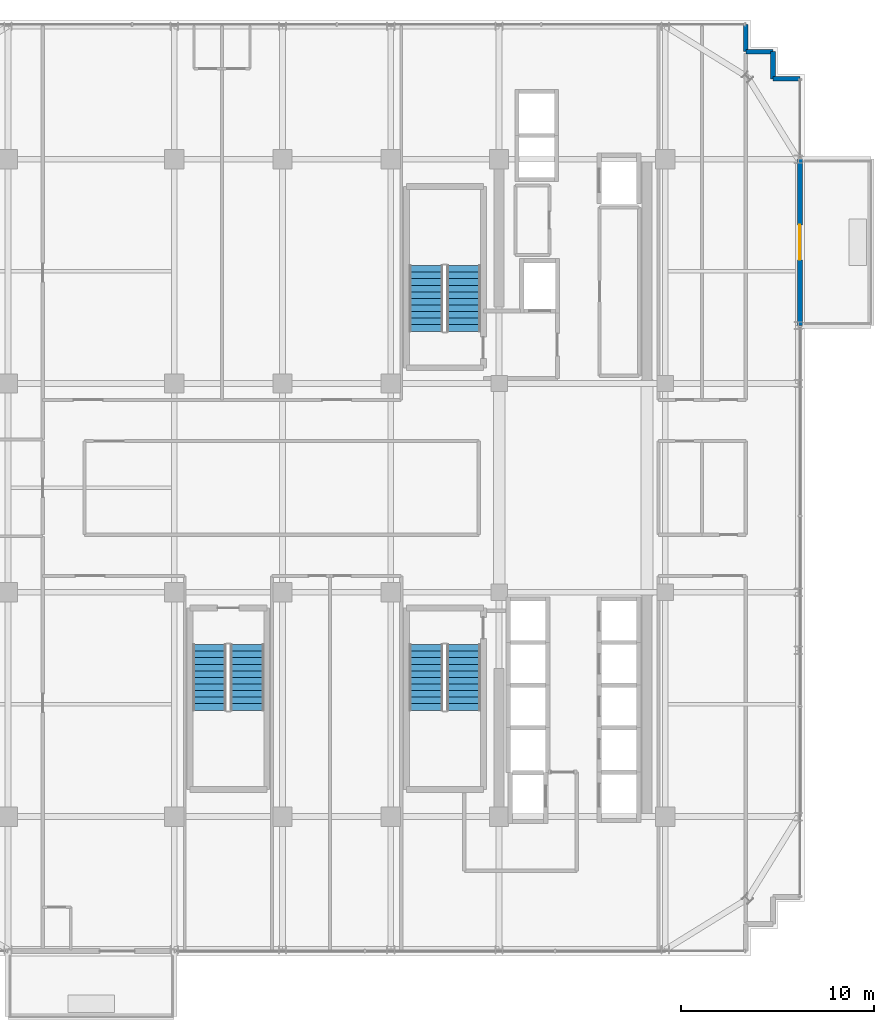
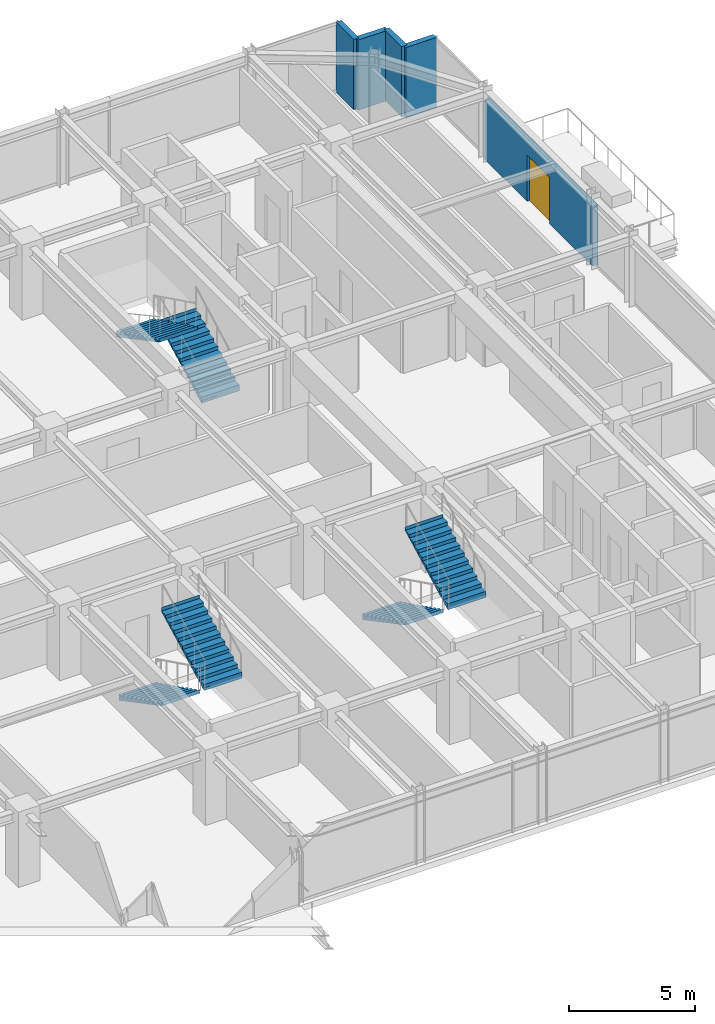
# One storey, part 31 of 34: 6 stair flights, 5 walls, 1 door, 1 opening, 3 elements without a shape of their own.
"""IFC4 building model written with IfcOpenShell, lengths in metres."""

from ifc_helpers import new_model, si_unit, direction, frame, frame_2d, origin, place, context, subcontext, project, spatial, polyline, rectangle, outline, extrude, source, transform, mapped, material, layer, layer_set, type_object, element, fill, aggregate, save


model = new_model("IFC4")

# Units and contexts
model_context = context("Model", 3, precision=1e-05, world=origin(), true_north=direction((0.0, 1.0)))
body_context = subcontext(model_context, "Body", "Model", "MODEL_VIEW")
ifc_project = project(units=[si_unit("LENGTHUNIT", "METRE"), si_unit("AREAUNIT", "SQUARE_METRE"), si_unit("VOLUMEUNIT", "CUBIC_METRE"), si_unit("PLANEANGLEUNIT", "RADIAN"), si_unit("MASSUNIT", "GRAM", prefix="KILO")], contexts=[model_context])

# Site, building, storey
site_placement = place(None, origin())
site = spatial("IfcSite", under=ifc_project, at=site_placement, CompositionType="ELEMENT")
building_placement = place(site_placement, origin())
building = spatial("IfcBuilding", under=site, at=building_placement, Name="Nahalor Promenade Grand Hotel", CompositionType="ELEMENT")
storey_placement = place(building_placement, frame((0.0, 0.0, 238.199951171875)))
storey = spatial("IfcBuildingStorey", under=building, at=storey_placement, Name="L61", CompositionType="ELEMENT", Elevation=238.199951171875)

# Walls
ifc_material_1 = material(Name="Concrete B-40 (C32/40)", Category="concrete")
ifc_layer_1 = layer(ifc_material_1, 0.25)
ifc_layer_set_1 = layer_set([ifc_layer_1], Name="Concrete B-40 (C32/40)")
wall_type_1 = type_object("IfcWallType", Name="Wall-BronzePier-250", PredefinedType="STANDARD", material=ifc_layer_set_1)
shared_shape_1 = source(origin(), body_context, "Body", "SweptSolid", [
    extrude(rectangle(XDim=1.39990234375, YDim=0.25, at=frame_2d((0.699951171875, 0.0))), origin(), (0.0, 0.0, 1.0), 3.41015625),
])
for number, where, z_axis, x_axis, name in (
    (1, (22.56005859375, 21.159912109375, 0.0), (0.0, 0.0, 1.0), (1.0, 0.0, 0.0), "W-L61-SR-05"),
    (2, (21.159912109375, 22.56005859375, 0.0), (0.0, 0.0, 1.0), (0.0, 1.0, 0.0), "W-L61-SR-08"),
):
    element("IfcWall", number, at=place(storey_placement, frame(where, z_axis=z_axis, x_axis=x_axis)), inside=storey, type_object=wall_type_1, Name=name, PredefinedType="STANDARD", context=body_context, shape_type="MappedRepresentation", body=[
        mapped(shared_shape_1, transform((0.0, 0.0, 0.0), scale=1.0)),
    ])
shared_shape_2 = source(origin(), body_context, "Body", "SweptSolid", [
    extrude(rectangle(XDim=1.400146484375, YDim=0.25, at=frame_2d((0.7001953125, 0.0))), origin(), (0.0, 0.0, 1.0), 3.41015625),
])
for number, where, z_axis, x_axis, name in (
    (3, (22.56005859375, 21.159912109375, 0.0), (0.0, 0.0, 1.0), (0.0, 1.0, 0.0), "W-L61-SR-06"),
    (4, (21.159912109375, 22.56005859375, 0.0), (0.0, 0.0, 1.0), (1.0, 0.0, 0.0), "W-L61-SR-07"),
):
    element("IfcWall", number, at=place(storey_placement, frame(where, z_axis=z_axis, x_axis=x_axis)), inside=storey, type_object=wall_type_1, Name=name, PredefinedType="STANDARD", context=body_context, shape_type="MappedRepresentation", body=[
        mapped(shared_shape_2, transform((0.0, 0.0, 0.0), scale=1.0)),
    ])

# Wall, opening, door
ifc_layer_2 = layer(ifc_material_1, 0.260009765625)
ifc_layer_set_2 = layer_set([ifc_layer_2], Name="Concrete B-40 (C32/40)")
wall_type_2 = type_object("IfcWallType", Name="Wall-BalconyWall-260", PredefinedType="STANDARD", material=ifc_layer_set_2)
shared_shape_3 = source(origin(), body_context, "Body", "SweptSolid", [
    extrude(rectangle(XDim=8.60009765625, YDim=0.260009765625, at=frame_2d((4.300048828125, 0.0))), origin(), (0.0, 0.0, 1.0), 2.89013671875),
])
wall_placement = place(storey_placement, frame((23.9599609375, 8.39990234375, 0.0), z_axis=(0.0, 0.0, 1.0), x_axis=(0.0, 1.0, 0.0)))
wall = element("IfcWall", 5, at=wall_placement, inside=storey, type_object=wall_type_2, Name="W-L61-BALC-E-2", PredefinedType="STANDARD", context=body_context, shape_type="MappedRepresentation", body=[
    mapped(shared_shape_3, transform((0.0, 0.0, 0.0), scale=1.0)),
])
opening_placement = place(wall_placement, frame((3.39990234375, 0.0, 0.0)))
opening = element("IfcOpeningElement", 6, at=opening_placement, cuts=wall, Name="Opening D-BC1", PredefinedType="OPENING", context=body_context, shape_type="SweptSolid", body=[
    extrude(rectangle(XDim=1.800048828125, YDim=2.25, at=frame_2d((0.89990234375, 1.125))), frame((0.0, 0.139892578125, 0.0), z_axis=(0.0, -1.0, 0.0), x_axis=(1.0, 0.0, 0.0)), (0.0, 0.0, 1.0), 0.280029296875),
])
ifc_material_2 = material(Name="Anodised Bronze Aluminium EN AW-6063 T6", Category="aluminium")
door_type = type_object("IfcDoorType", Name="Door-BalconySlide-1800", OperationType="DOUBLE_DOOR_SLIDING", PredefinedType="DOOR", material=ifc_material_2)
shared_shape_4 = source(origin(), body_context, "Body", "SweptSolid", [
    extrude(rectangle(XDim=1.800048828125, YDim=2.25, at=frame_2d((0.89990234375, 1.125))), frame((0.0, 0.02490234375, 0.0), z_axis=(0.0, -1.0, 0.0), x_axis=(1.0, 0.0, 0.0)), (0.0, 0.0, 1.0), 0.050048828125),
])
door_placement = place(opening_placement, frame((1.800048828125, 0.0, 0.0), z_axis=(0.0, 0.0, 1.0), x_axis=(-1.0, 0.0, 0.0)))
door = element("IfcDoor", 7, at=door_placement, inside=storey, type_object=door_type, Name="DR-L61-BALC-E-2", OperationType="DOUBLE_DOOR_SLIDING", OverallHeight=2.25, OverallWidth=1.800048828125, PredefinedType="DOOR", context=body_context, shape_type="MappedRepresentation", body=[
    mapped(shared_shape_4, transform((0.0, 0.0, 0.0), scale=1.0)),
])
fill(opening, door)

# Stair, stair flights
ifc_material_3 = material(Name="Concrete B-50 (C40/50)", Category="concrete")
stair_type_1 = type_object("IfcStairType", Name="Stair-ST1", PredefinedType="HALF_TURN_STAIR", material=ifc_material_3)
stair_1_placement = place(storey_placement, origin())
stair_1 = element("IfcStair", 8, at=stair_1_placement, inside=storey, type_object=stair_type_1, Name="L61 ST1", PredefinedType="HALF_TURN_STAIR")
ifc_layer_3 = layer(ifc_material_3, 0.179931640625)
ifc_layer_set_3 = layer_set([ifc_layer_3], Name="Concrete B-50 (C40/50)")
stair_flight_type_1 = type_object("IfcStairFlightType", Name="Flight-ST1", PredefinedType="STRAIGHT", material=ifc_layer_set_3)
shared_shape_5 = source(origin(), body_context, "Body", "SweptSolid", [
    extrude(outline(polyline([(-0.00390625, -0.1201171875), (-0.00390625, 0.0), (0.0, 0.0), (0.0, 0.168212890625), (0.340087890625, 0.168212890625), (0.340087890625, 0.33642578125), (0.679931640625, 0.33642578125), (0.679931640625, 0.504638671875), (1.02001953125, 0.504638671875), (1.02001953125, 0.672607421875), (1.360107421875, 0.672607421875), (1.360107421875, 0.8408203125), (1.699951171875, 0.8408203125), (1.699951171875, 1.009033203125), (2.0400390625, 1.009033203125), (2.0400390625, 1.17724609375), (2.3798828125, 1.17724609375), (2.3798828125, 1.345458984375), (2.719970703125, 1.345458984375), (2.719970703125, 1.513671875), (3.06005859375, 1.513671875), (3.06005859375, 1.681884765625), (3.39990234375, 1.681884765625), (3.39990234375, 1.85009765625), (3.404052734375, 1.85009765625), (3.404052734375, 1.669921875), (0.02001953125, -0.1201171875), (-0.00390625, -0.1201171875)])), frame((0.0, 0.875, 0.0), z_axis=(0.0, -1.0, 0.0), x_axis=(1.0, 0.0, 0.0)), (0.0, 0.0, 1.0), 1.75),
])
stair_flight_1_placement = place(storey_placement, frame((6.574951171875, 8.10009765625, 0.0), z_axis=(0.0, 0.0, 1.0), x_axis=(0.0, 1.0, 0.0)))
stair_flight_1 = element("IfcStairFlight", 9, at=stair_flight_1_placement, type_object=stair_flight_type_1, Name="ST1 flight 1", NumberOfRisers=11, NumberOfTreads=10, PredefinedType="STRAIGHT", RiserHeight=0.168181818, TreadLength=0.34, context=body_context, shape_type="MappedRepresentation", body=[
    mapped(shared_shape_5, transform((0.0, 0.0, 0.0), scale=1.0)),
])
stair_flight_2_placement = place(storey_placement, frame((4.625, 11.5, 1.85009765625), z_axis=(0.0, 0.0, 1.0), x_axis=(0.0, -1.0, 0.0)))
stair_flight_2 = element("IfcStairFlight", 10, at=stair_flight_2_placement, type_object=stair_flight_type_1, Name="ST1 flight 2", NumberOfRisers=11, NumberOfTreads=10, PredefinedType="STRAIGHT", RiserHeight=0.168181818, TreadLength=0.34, context=body_context, shape_type="MappedRepresentation", body=[
    mapped(shared_shape_5, transform((0.0, 0.0, 0.0), scale=1.0)),
])
aggregate(stair_1, [stair_flight_1, stair_flight_2])

stair_type_2 = type_object("IfcStairType", Name="Stair-ST2", PredefinedType="HALF_TURN_STAIR", material=ifc_material_3)
stair_2_placement = place(storey_placement, origin())
stair_2 = element("IfcStair", 11, at=stair_2_placement, inside=storey, type_object=stair_type_2, Name="L61 ST2", PredefinedType="HALF_TURN_STAIR")
ifc_layer_4 = layer(ifc_material_3, 0.18994140625)
ifc_layer_set_4 = layer_set([ifc_layer_4], Name="Concrete B-50 (C40/50)")
stair_flight_type_2 = type_object("IfcStairFlightType", Name="Flight-ST2", PredefinedType="STRAIGHT", material=ifc_layer_set_4)
shared_shape_6 = source(origin(), body_context, "Body", "SweptSolid", [
    extrude(outline(polyline([(-0.00390625, -0.1201171875), (-0.00390625, 0.0), (0.0, 0.0), (0.0, 0.168212890625), (0.340087890625, 0.168212890625), (0.340087890625, 0.33642578125), (0.679931640625, 0.33642578125), (0.679931640625, 0.504638671875), (1.02001953125, 0.504638671875), (1.02001953125, 0.672607421875), (1.360107421875, 0.672607421875), (1.360107421875, 0.8408203125), (1.699951171875, 0.8408203125), (1.699951171875, 1.009033203125), (2.0400390625, 1.009033203125), (2.0400390625, 1.17724609375), (2.3798828125, 1.17724609375), (2.3798828125, 1.345458984375), (2.719970703125, 1.345458984375), (2.719970703125, 1.513671875), (3.06005859375, 1.513671875), (3.06005859375, 1.681884765625), (3.39990234375, 1.681884765625), (3.39990234375, 1.85009765625), (3.404052734375, 1.85009765625), (3.404052734375, 1.669921875), (0.02001953125, -0.1201171875), (-0.00390625, -0.1201171875)])), frame((0.0, 0.875, 0.0), z_axis=(0.0, -1.0, 0.0), x_axis=(1.0, 0.0, 0.0)), (0.0, 0.0, 1.0), 1.75),
])
stair_flight_3_placement = place(storey_placement, frame((4.625, -8.10009765625, 0.0), z_axis=(0.0, 0.0, 1.0), x_axis=(0.0, -1.0, 0.0)))
stair_flight_3 = element("IfcStairFlight", 12, at=stair_flight_3_placement, type_object=stair_flight_type_2, Name="ST2 flight 1", NumberOfRisers=11, NumberOfTreads=10, PredefinedType="STRAIGHT", RiserHeight=0.168181818, TreadLength=0.34, context=body_context, shape_type="MappedRepresentation", body=[
    mapped(shared_shape_6, transform((0.0, 0.0, 0.0), scale=1.0)),
])
stair_flight_4_placement = place(storey_placement, frame((6.574951171875, -11.5, 1.85009765625), z_axis=(0.0, 0.0, 1.0), x_axis=(0.0, 1.0, 0.0)))
stair_flight_4 = element("IfcStairFlight", 13, at=stair_flight_4_placement, type_object=stair_flight_type_2, Name="ST2 flight 2", NumberOfRisers=11, NumberOfTreads=10, PredefinedType="STRAIGHT", RiserHeight=0.168181818, TreadLength=0.34, context=body_context, shape_type="MappedRepresentation", body=[
    mapped(shared_shape_6, transform((0.0, 0.0, 0.0), scale=1.0)),
])
aggregate(stair_2, [stair_flight_3, stair_flight_4])

stair_type_3 = type_object("IfcStairType", Name="Stair-ST3", PredefinedType="HALF_TURN_STAIR", material=ifc_material_3)
stair_3_placement = place(storey_placement, origin())
stair_3 = element("IfcStair", 14, at=stair_3_placement, inside=storey, type_object=stair_type_3, Name="L61 ST3", PredefinedType="HALF_TURN_STAIR")
ifc_layer_5 = layer(ifc_material_3, 0.199951171875)
ifc_layer_set_5 = layer_set([ifc_layer_5], Name="Concrete B-50 (C40/50)")
stair_flight_type_3 = type_object("IfcStairFlightType", Name="Flight-ST3", PredefinedType="STRAIGHT", material=ifc_layer_set_5)
shared_shape_7 = source(origin(), body_context, "Body", "SweptSolid", [
    extrude(outline(polyline([(-0.00390625, -0.1201171875), (-0.00390625, 0.0), (0.0, 0.0), (0.0, 0.168212890625), (0.340087890625, 0.168212890625), (0.340087890625, 0.33642578125), (0.679931640625, 0.33642578125), (0.679931640625, 0.504638671875), (1.02001953125, 0.504638671875), (1.02001953125, 0.672607421875), (1.360107421875, 0.672607421875), (1.360107421875, 0.8408203125), (1.699951171875, 0.8408203125), (1.699951171875, 1.009033203125), (2.0400390625, 1.009033203125), (2.0400390625, 1.17724609375), (2.3798828125, 1.17724609375), (2.3798828125, 1.345458984375), (2.719970703125, 1.345458984375), (2.719970703125, 1.513671875), (3.06005859375, 1.513671875), (3.06005859375, 1.681884765625), (3.39990234375, 1.681884765625), (3.39990234375, 1.85009765625), (3.404052734375, 1.85009765625), (3.404052734375, 1.669921875), (0.02001953125, -0.1201171875), (-0.00390625, -0.1201171875)])), frame((0.0, 0.875, 0.0), z_axis=(0.0, -1.0, 0.0), x_axis=(1.0, 0.0, 0.0)), (0.0, 0.0, 1.0), 1.75),
])
stair_flight_5_placement = place(storey_placement, frame((-6.574951171875, -8.10009765625, 0.0), z_axis=(0.0, 0.0, 1.0), x_axis=(0.0, -1.0, 0.0)))
stair_flight_5 = element("IfcStairFlight", 15, at=stair_flight_5_placement, type_object=stair_flight_type_3, Name="ST3 flight 1", NumberOfRisers=11, NumberOfTreads=10, PredefinedType="STRAIGHT", RiserHeight=0.168181818, TreadLength=0.34, context=body_context, shape_type="MappedRepresentation", body=[
    mapped(shared_shape_7, transform((0.0, 0.0, 0.0), scale=1.0)),
])
stair_flight_6_placement = place(storey_placement, frame((-4.625, -11.5, 1.85009765625), z_axis=(0.0, 0.0, 1.0), x_axis=(0.0, 1.0, 0.0)))
stair_flight_6 = element("IfcStairFlight", 16, at=stair_flight_6_placement, type_object=stair_flight_type_3, Name="ST3 flight 2", NumberOfRisers=11, NumberOfTreads=10, PredefinedType="STRAIGHT", RiserHeight=0.168181818, TreadLength=0.34, context=body_context, shape_type="MappedRepresentation", body=[
    mapped(shared_shape_7, transform((0.0, 0.0, 0.0), scale=1.0)),
])
aggregate(stair_3, [stair_flight_5, stair_flight_6])

save(model, "model.ifc")
